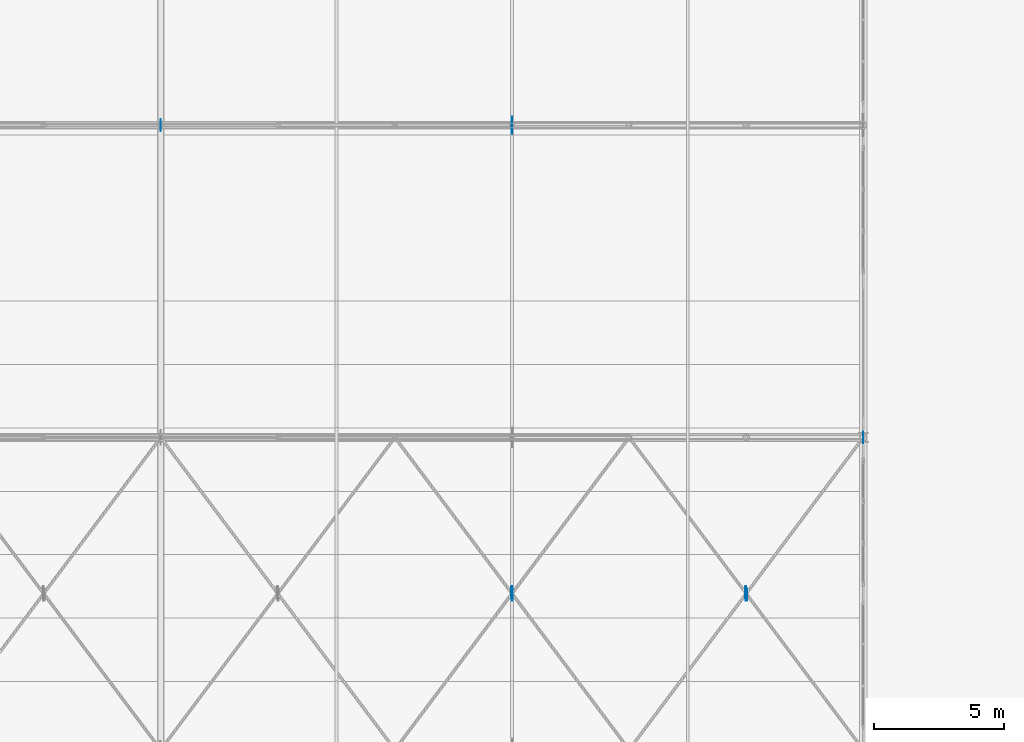
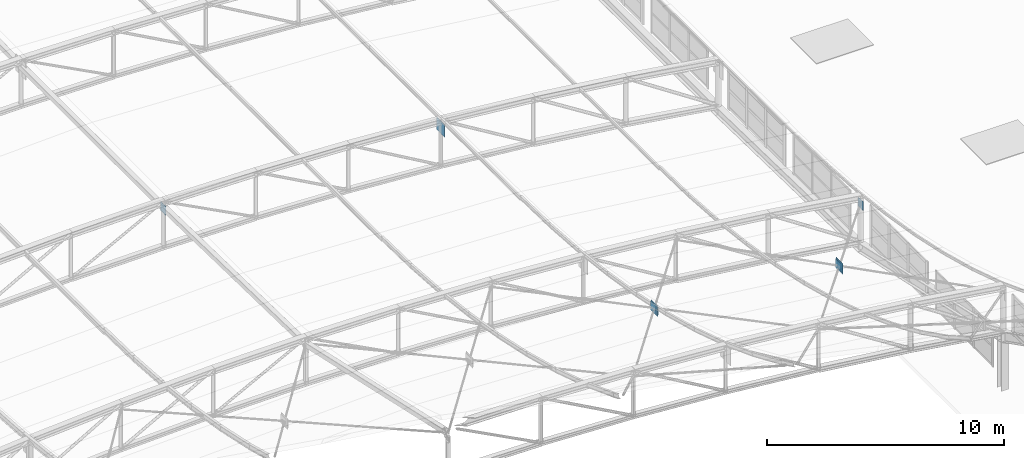
# One storey, part 246 of 262: 9 plates.
"""IFC4 building model written with IfcOpenShell, lengths in metres."""

from ifc_helpers import new_model, si_unit, derived_unit, direction, frame, origin, origin_2d, place, context, subcontext, project, spatial, rectangle, extrude, material, layer, layer_set, type_object, element, save


model = new_model("IFC4")

# Units and contexts
model_context = context("Model", 3, precision=1e-05, world=origin(), true_north=direction((0.0, 1.0)))
body_context = subcontext(model_context, "Body", "Model", "MODEL_VIEW")
ifc_project = project(units=[si_unit("LENGTHUNIT", "METRE"), si_unit("AREAUNIT", "SQUARE_METRE"), si_unit("VOLUMEUNIT", "CUBIC_METRE"), si_unit("PLANEANGLEUNIT", "RADIAN"), si_unit("MASSUNIT", "GRAM", prefix="KILO"), derived_unit("THERMALTRANSMITTANCEUNIT", [(si_unit("POWERUNIT", "WATT"), 1), (si_unit("LENGTHUNIT", "METRE"), -2), (si_unit("THERMODYNAMICTEMPERATUREUNIT", "KELVIN"), -1)])], contexts=[model_context])

# Site, building, storey
site_placement = place(None, origin())
site = spatial("IfcSite", under=ifc_project, at=site_placement, CompositionType="ELEMENT")
building_placement = place(site_placement, origin())
building = spatial("IfcBuilding", under=site, at=building_placement, Name="Almenara Railside Exhibition Hall", CompositionType="ELEMENT")
storey_placement = place(building_placement, frame((0.0, 0.0, 21.699951171875)))
storey = spatial("IfcBuildingStorey", under=building, at=storey_placement, Name="RF", CompositionType="ELEMENT", Elevation=21.699951171875)

# Plates
ifc_material = material(Name="Structural steel S355JR", Category="steel")
ifc_layer_1 = layer(ifc_material, 0.011962890625, Name="Structural steel S355JR")
ifc_layer_set_1 = layer_set([ifc_layer_1], Name="Structural steel S355JR")
plate_type_1 = type_object("IfcPlateType", Name="Truss Node Gusset Plate 12mm S355JR", PredefinedType="USERDEFINED", material=ifc_layer_set_1)
for number, where, z_axis, x_axis, name in (
    (1, (66.0, 72.0, -0.41015625), (0.0, 0.0, 1.0), (0.0, 1.0, 0.0), "PLT-GUS-0015"),
    (2, (39.0, 84.0, 1.52490234375), (0.0, 0.0, 1.0), (0.0, 1.0, 0.0), "PLT-GUS-0018"),
    (3, (52.5302734375, 65.959716796875, 2.59326171875), (0.0, 0.0, 1.0), (0.0, 1.0, 0.0), "PLT-GUS-0072"),
    (4, (52.4697265625, 66.040283203125, 2.58056640625), (0.0, 0.0, 1.0), (0.0, 1.0, 0.0), "PLT-GUS-0073"),
    (5, (61.5302734375, 65.95947265625, 1.6142578125), (0.0, 0.0, 1.0), (0.0, 1.0, 0.0), "PLT-GUS-0075"),
    (6, (61.4697265625, 66.04052734375, 1.6044921875), (0.0, 0.0, 1.0), (0.0, 1.0, 0.0), "PLT-GUS-0076"),
):
    element("IfcPlate", number, at=place(storey_placement, frame(where, z_axis=z_axis, x_axis=x_axis)), inside=storey, type_object=plate_type_1, Name=name, ObjectType="GUSSET_PLATE", PredefinedType="USERDEFINED", context=body_context, shape_type="SweptSolid", body=[
        extrude(rectangle(XDim=0.449951171875, YDim=0.011962890625, at=origin_2d()), origin(), (0.0, 0.0, 1.0), 0.449951171875),
    ])
ifc_layer_2 = layer(ifc_material, 0.01611328125, Name="Structural steel S355JR")
ifc_layer_set_2 = layer_set([ifc_layer_2], Name="Structural steel S355JR")
plate_type_2 = type_object("IfcPlateType", Name="Truss Node Gusset Plate 16mm S355JR", PredefinedType="USERDEFINED", material=ifc_layer_set_2)
for number, where, z_axis, x_axis, name in (
    (7, (52.5, 66.0, 2.53662109375), (0.0, 0.0, 1.0), (0.0, 1.0, 0.0), "PLT-GUS-0071"),
    (8, (61.5, 66.0, 1.55908203125), (0.0, 0.0, 1.0), (0.0, 1.0, 0.0), "PLT-GUS-0074"),
):
    element("IfcPlate", number, at=place(storey_placement, frame(where, z_axis=z_axis, x_axis=x_axis)), inside=storey, type_object=plate_type_2, Name=name, ObjectType="GUSSET_PLATE", PredefinedType="USERDEFINED", context=body_context, shape_type="SweptSolid", body=[
        extrude(rectangle(XDim=0.550048828125, YDim=0.01611328125, at=origin_2d()), origin(), (0.0, 0.0, 1.0), 0.550048828125),
    ])
ifc_layer_3 = layer(ifc_material, 0.02001953125, Name="Structural steel S355JR")
ifc_layer_set_3 = layer_set([ifc_layer_3], Name="Structural steel S355JR")
plate_type_3 = type_object("IfcPlateType", Name="Truss Node Gusset Plate 20mm S355JR", PredefinedType="USERDEFINED", material=ifc_layer_set_3)
plate_placement = place(storey_placement, frame((52.5, 84.0, 0.875), z_axis=(0.0, 0.0, 1.0), x_axis=(0.0, 1.0, 0.0)))
element("IfcPlate", 9, at=plate_placement, inside=storey, type_object=plate_type_3, Name="PLT-GUS-0019", ObjectType="GUSSET_PLATE", PredefinedType="USERDEFINED", context=body_context, shape_type="SweptSolid", body=[
    extrude(rectangle(XDim=0.64990234375, YDim=0.02001953125, at=origin_2d()), origin(), (0.0, 0.0, 1.0), 0.64990234375),
])

save(model, "model.ifc")
